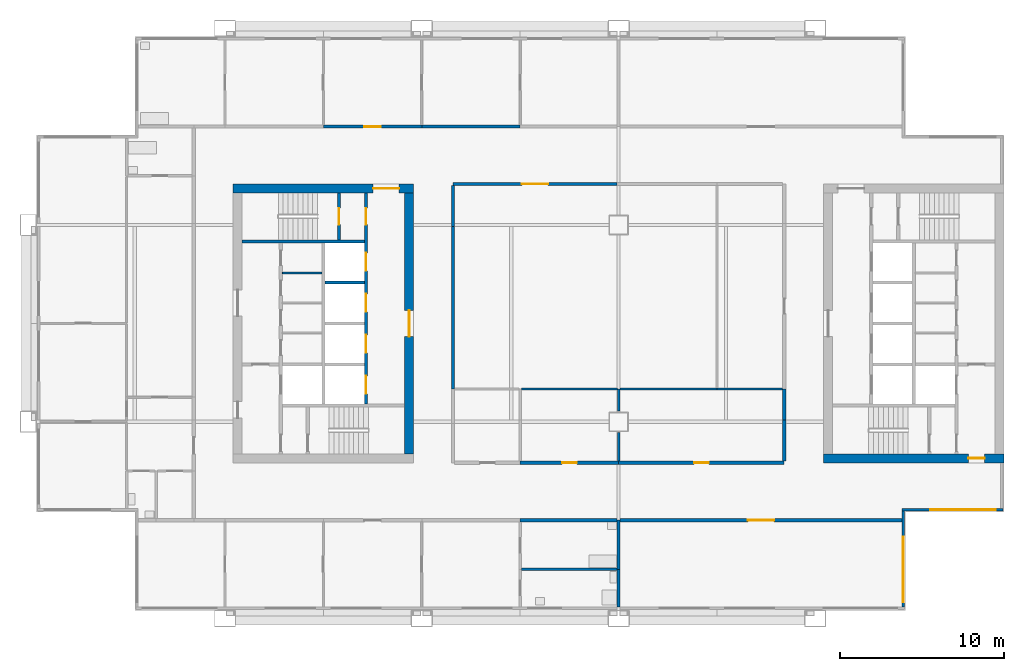
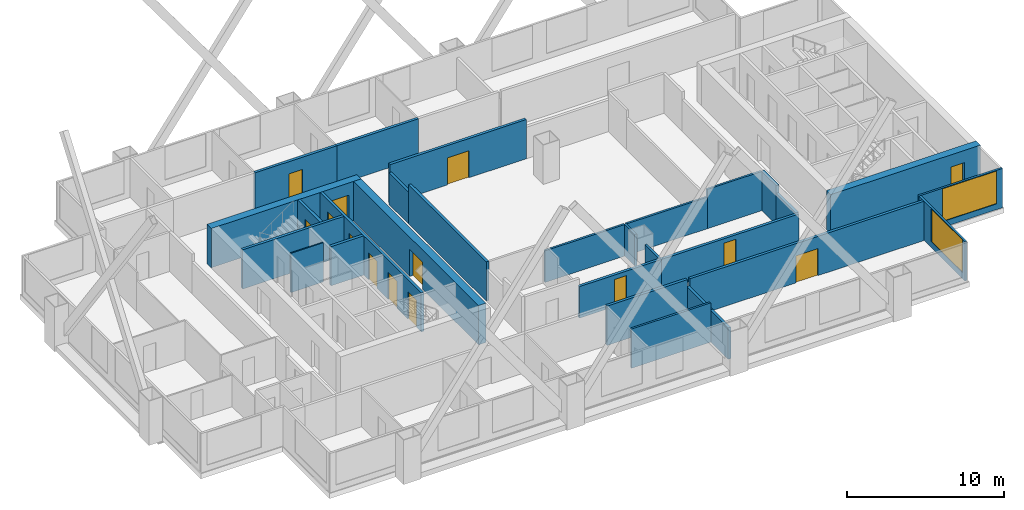
# One storey, part 4 of 8: 29 walls, 14 doors, 2 windows, 16 openings.
"""IFC4 building model written with IfcOpenShell, lengths in metres."""

from ifc_helpers import new_model, si_unit, direction, frame, frame_2d, origin, place, context, subcontext, project, spatial, rectangle, extrude, material, layer, layer_set, type_object, element, fill, save


model = new_model("IFC4")

# Units and contexts
model_context = context("Model", 3, precision=1e-05, world=origin(), true_north=direction((0.0, 1.0)))
body_context = subcontext(model_context, "Body", "Model", "MODEL_VIEW")
ifc_project = project(units=[si_unit("LENGTHUNIT", "METRE"), si_unit("AREAUNIT", "SQUARE_METRE"), si_unit("VOLUMEUNIT", "CUBIC_METRE"), si_unit("PLANEANGLEUNIT", "RADIAN"), si_unit("MASSUNIT", "GRAM", prefix="KILO")], contexts=[model_context])

# Site, building, storey
site_placement = place(None, origin())
site = spatial("IfcSite", under=ifc_project, at=site_placement, CompositionType="ELEMENT")
building_placement = place(site_placement, origin())
building = spatial("IfcBuilding", under=site, at=building_placement, Name="Kitamizu Gate Tower and Museum", CompositionType="ELEMENT")
storey_placement = place(building_placement, frame((0.0, 0.0, 158.25)))
storey = spatial("IfcBuildingStorey", under=building, at=storey_placement, Name="L41", CompositionType="ELEMENT", Elevation=158.25)

# Wall, opening, door
ifc_material_1 = material(Name="Concrete Fc42", Category="concrete")
ifc_layer_1 = layer(ifc_material_1, 0.550048828125)
ifc_layer_set_1 = layer_set([ifc_layer_1], Name="Concrete Fc42")
wall_type_1 = type_object("IfcWallType", Name="Core wall 550", PredefinedType="SHEAR", material=ifc_layer_set_1)
wall_1_placement = place(storey_placement, frame((12.5, 38.22509765625, 0.0), z_axis=(0.0, 0.0, 1.0), x_axis=(1.0, 0.0, 0.0)))
wall_1 = element("IfcWall", 1, at=wall_1_placement, inside=storey, type_object=wall_type_1, Name="Core wall WN", PredefinedType="SHEAR", context=body_context, shape_type="SweptSolid", body=[
    extrude(rectangle(XDim=11.0, YDim=0.550048828125, at=frame_2d((5.5, 0.0))), origin(), (0.0, 0.0, 1.0), 3.050048828125),
])
opening_1_placement = place(wall_1_placement, frame((8.52490234375, 0.0, 0.0)))
opening_1 = element("IfcOpeningElement", 2, at=opening_1_placement, cuts=wall_1, Name="Opening L41-034", PredefinedType="OPENING", context=body_context, shape_type="SweptSolid", body=[
    extrude(rectangle(XDim=1.60009765625, YDim=2.10009765625, at=frame_2d((0.800048828125, 1.050048828125))), frame((0.0, 0.28515625, 0.0), z_axis=(0.0, -1.0, 0.0), x_axis=(1.0, 0.0, 0.0)), (0.0, 0.0, 1.0), 0.570068359375),
])
ifc_material_2 = material(Name="Timber door set", Category="wood")
door_type_1 = type_object("IfcDoorType", Name="Entrance door 1600", OperationType="DOUBLE_DOOR_SINGLE_SWING", PredefinedType="DOOR", material=ifc_material_2)
door_1_placement = place(opening_1_placement, origin())
door_1 = element("IfcDoor", 3, at=door_1_placement, inside=storey, type_object=door_type_1, Name="Lobby door L41-034", OperationType="DOUBLE_DOOR_SINGLE_SWING", OverallHeight=2.10009765625, OverallWidth=1.60009765625, PredefinedType="DOOR", context=body_context, shape_type="SweptSolid", body=[
    extrude(rectangle(XDim=1.60009765625, YDim=2.10009765625, at=frame_2d((0.800048828125, 1.050048828125))), frame((0.0, 0.02490234375, 0.0), z_axis=(0.0, -1.0, 0.0), x_axis=(1.0, 0.0, 0.0)), (0.0, 0.0, 1.0), 0.050048828125),
])
fill(opening_1, door_1)

wall_2_placement = place(storey_placement, frame((23.22509765625, 22.050048828125, 0.0), z_axis=(0.0, 0.0, 1.0), x_axis=(0.0, 1.0, 0.0)))
wall_2 = element("IfcWall", 4, at=wall_2_placement, inside=storey, type_object=wall_type_1, Name="Core wall WARC", PredefinedType="SHEAR", context=body_context, shape_type="SweptSolid", body=[
    extrude(rectangle(XDim=15.89990234375, YDim=0.550048828125, at=frame_2d((7.949951171875, 0.0))), origin(), (0.0, 0.0, 1.0), 3.050048828125),
])
opening_2_placement = place(wall_2_placement, frame((7.14990234375, 0.0, 0.0)))
opening_2 = element("IfcOpeningElement", 5, at=opening_2_placement, cuts=wall_2, Name="Opening L41-035", PredefinedType="OPENING", context=body_context, shape_type="SweptSolid", body=[
    extrude(rectangle(XDim=1.60009765625, YDim=2.10009765625, at=frame_2d((0.800048828125, 1.050048828125))), frame((0.0, 0.28515625, 0.0), z_axis=(0.0, -1.0, 0.0), x_axis=(1.0, 0.0, 0.0)), (0.0, 0.0, 1.0), 0.570068359375),
])
door_2_placement = place(opening_2_placement, origin())
door_2 = element("IfcDoor", 6, at=door_2_placement, inside=storey, type_object=door_type_1, Name="Lobby door L41-035", OperationType="DOUBLE_DOOR_SINGLE_SWING", OverallHeight=2.10009765625, OverallWidth=1.60009765625, PredefinedType="DOOR", context=body_context, shape_type="SweptSolid", body=[
    extrude(rectangle(XDim=1.60009765625, YDim=2.10009765625, at=frame_2d((0.800048828125, 1.050048828125))), frame((0.0, 0.02490234375, 0.0), z_axis=(0.0, -1.0, 0.0), x_axis=(1.0, 0.0, 0.0)), (0.0, 0.0, 1.0), 0.050048828125),
])
fill(opening_2, door_2)

wall_3_placement = place(storey_placement, frame((59.5, 21.77490234375, 0.0), z_axis=(0.0, 0.0, 1.0), x_axis=(-1.0, 0.0, 0.0)))
wall_3 = element("IfcWall", 7, at=wall_3_placement, inside=storey, type_object=wall_type_1, Name="Core wall ES", PredefinedType="SHEAR", context=body_context, shape_type="SweptSolid", body=[
    extrude(rectangle(XDim=11.0, YDim=0.550048828125, at=frame_2d((5.5, 0.0))), origin(), (0.0, 0.0, 1.0), 3.050048828125),
])
opening_3_placement = place(wall_3_placement, frame((1.175048828125, 0.0, 0.0)))
opening_3 = element("IfcOpeningElement", 8, at=opening_3_placement, cuts=wall_3, Name="Opening L41-045", PredefinedType="OPENING", context=body_context, shape_type="SweptSolid", body=[
    extrude(rectangle(XDim=1.0, YDim=2.10009765625, at=frame_2d((0.5, 1.050048828125))), frame((0.0, 0.28515625, 0.0), z_axis=(0.0, -1.0, 0.0), x_axis=(1.0, 0.0, 0.0)), (0.0, 0.0, 1.0), 0.570068359375),
])
ifc_material_3 = material(Name="Hollow metal door set")
door_type_2 = type_object("IfcDoorType", Name="Fire door 1000", OperationType="NOTDEFINED", PredefinedType="DOOR", material=ifc_material_3)
door_3_placement = place(opening_3_placement, frame((1.0, 0.0, 0.0), x_axis=(-1.0, 0.0, 0.0)))
door_3 = element("IfcDoor", 9, at=door_3_placement, inside=storey, type_object=door_type_2, Name="Fire-fighting lobby door L41-045", OperationType="SINGLE_SWING_LEFT", OverallHeight=2.10009765625, OverallWidth=1.0, PredefinedType="DOOR", context=body_context, shape_type="SweptSolid", body=[
    extrude(rectangle(XDim=1.0, YDim=2.10009765625, at=frame_2d((0.5, 1.050048828125))), frame((0.0, 0.02490234375, 0.0), z_axis=(0.0, -1.0, 0.0), x_axis=(1.0, 0.0, 0.0)), (0.0, 0.0, 1.0), 0.050048828125),
])
fill(opening_3, door_3)

# Walls
ifc_material_4 = material(Name="Gypsum board on galvanised stud")
ifc_layer_2 = layer(ifc_material_4, 0.10009765625)
ifc_layer_set_2 = layer_set([ifc_layer_2], Name="Gypsum board on galvanised stud")
wall_type_2 = type_object("IfcWallType", Name="Partition 100", PredefinedType="PARTITIONING", material=ifc_layer_set_2)
wall_4_placement = place(storey_placement, frame((15.5, 33.074951171875, 0.0), z_axis=(0.0, 0.0, 1.0), x_axis=(1.0, 0.0, 0.0)))
element("IfcWall", 10, at=wall_4_placement, inside=storey, type_object=wall_type_2, Name="Partition WPF3", PredefinedType="PARTITIONING", context=body_context, shape_type="SweptSolid", body=[
    extrude(rectangle(XDim=2.39990234375, YDim=0.10009765625, at=frame_2d((1.199951171875, 0.0))), origin(), (0.0, 0.0, 1.0), 3.050048828125),
])
ifc_material_5 = material(Name="Gypsum board on galvanised stud")
ifc_layer_3 = layer(ifc_material_5, 0.14990234375)
ifc_layer_set_3 = layer_set([ifc_layer_3], Name="Gypsum board on galvanised stud")
wall_type_3 = type_object("IfcWallType", Name="Partition 150", PredefinedType="PARTITIONING", material=ifc_layer_set_3)
wall_5_placement = place(storey_placement, frame((35.89990234375, 15.0, 0.0), z_axis=(0.0, 0.0, 1.0), x_axis=(-1.0, 0.0, 0.0)))
element("IfcWall", 11, at=wall_5_placement, inside=storey, type_object=wall_type_3, Name="Partition L41-012", PredefinedType="PARTITIONING", context=body_context, shape_type="SweptSolid", body=[
    extrude(rectangle(XDim=5.824951171875, YDim=0.14990234375, at=frame_2d((2.91259765625, 0.0))), origin(), (0.0, 0.0, 1.0), 3.050048828125),
])
wall_6_placement = place(storey_placement, frame((36.0, 21.60009765625, 0.0), z_axis=(0.0, 0.0, 1.0), x_axis=(0.0, 1.0, 0.0)))
element("IfcWall", 12, at=wall_6_placement, inside=storey, type_object=wall_type_3, Name="Partition L41-066", PredefinedType="PARTITIONING", context=body_context, shape_type="SweptSolid", body=[
    extrude(rectangle(XDim=1.75, YDim=0.14990234375, at=frame_2d((0.875, 0.0))), origin(), (0.0, 0.0, 1.0), 2.449951171875),
])
wall_7_placement = place(storey_placement, frame((36.0, 24.64990234375, 0.0), z_axis=(0.0, 0.0, 1.0), x_axis=(0.0, 1.0, 0.0)))
element("IfcWall", 13, at=wall_7_placement, inside=storey, type_object=wall_type_3, Name="Partition L41-067", PredefinedType="PARTITIONING", context=body_context, shape_type="SweptSolid", body=[
    extrude(rectangle(XDim=1.35009765625, YDim=0.14990234375, at=frame_2d((0.675048828125, 0.0))), origin(), (0.0, 0.0, 1.0), 2.449951171875),
])
wall_8_placement = place(storey_placement, frame((35.925048828125, 26.0, 0.0), z_axis=(0.0, 0.0, 1.0), x_axis=(-1.0, 0.0, 0.0)))
element("IfcWall", 14, at=wall_8_placement, inside=storey, type_object=wall_type_3, Name="Partition L41-068", PredefinedType="PARTITIONING", context=body_context, shape_type="SweptSolid", body=[
    extrude(rectangle(XDim=5.85009765625, YDim=0.14990234375, at=frame_2d((2.925048828125, 0.0))), origin(), (0.0, 0.0, 1.0), 2.449951171875),
])
wall_9_placement = place(storey_placement, frame((42.0, 26.0, 0.0), z_axis=(0.0, 0.0, 1.0), x_axis=(-1.0, 0.0, 0.0)))
element("IfcWall", 15, at=wall_9_placement, inside=storey, type_object=wall_type_3, Name="Partition L41-069", PredefinedType="PARTITIONING", context=body_context, shape_type="SweptSolid", body=[
    extrude(rectangle(XDim=5.925048828125, YDim=0.14990234375, at=frame_2d((2.96240234375, 0.0))), origin(), (0.0, 0.0, 1.0), 2.449951171875),
])
wall_10_placement = place(storey_placement, frame((46.0, 26.0, 0.0), z_axis=(0.0, 0.0, 1.0), x_axis=(-1.0, 0.0, 0.0)))
element("IfcWall", 16, at=wall_10_placement, inside=storey, type_object=wall_type_3, Name="Partition L41-070", PredefinedType="PARTITIONING", context=body_context, shape_type="SweptSolid", body=[
    extrude(rectangle(XDim=4.0, YDim=0.14990234375, at=frame_2d((2.0, 0.0))), origin(), (0.0, 0.0, 1.0), 3.050048828125),
])
ifc_material_6 = material(Name="Gypsum board on galvanised stud")
ifc_layer_4 = layer(ifc_material_6, 0.199951171875)
ifc_layer_set_4 = layer_set([ifc_layer_4], Name="Gypsum board on galvanised stud")
wall_type_4 = type_object("IfcWallType", Name="Partition 200", PredefinedType="PARTITIONING", material=ifc_layer_set_4)
wall_11_placement = place(storey_placement, frame((36.0, 12.719970703125, 0.0), z_axis=(0.0, 0.0, 1.0), x_axis=(0.0, 1.0, 0.0)))
element("IfcWall", 17, at=wall_11_placement, inside=storey, type_object=wall_type_4, Name="Partition L41-013", PredefinedType="PARTITIONING", context=body_context, shape_type="SweptSolid", body=[
    extrude(rectangle(XDim=2.280029296875, YDim=0.199951171875, at=frame_2d((1.14013671875, 0.0))), origin(), (0.0, 0.0, 1.0), 2.449951171875),
])
wall_12_placement = place(storey_placement, frame((36.0, 15.0, 0.0), z_axis=(0.0, 0.0, 1.0), x_axis=(0.0, 1.0, 0.0)))
element("IfcWall", 18, at=wall_12_placement, inside=storey, type_object=wall_type_4, Name="Partition L41-014", PredefinedType="PARTITIONING", context=body_context, shape_type="SweptSolid", body=[
    extrude(rectangle(XDim=3.0, YDim=0.199951171875, at=frame_2d((1.5, 0.0))), origin(), (0.0, 0.0, 1.0), 2.449951171875),
])
wall_13_placement = place(storey_placement, frame((35.89990234375, 18.0, 0.0), z_axis=(0.0, 0.0, 1.0), x_axis=(-1.0, 0.0, 0.0)))
element("IfcWall", 19, at=wall_13_placement, inside=storey, type_object=wall_type_4, Name="Partition L41-015", PredefinedType="PARTITIONING", context=body_context, shape_type="SweptSolid", body=[
    extrude(rectangle(XDim=5.89990234375, YDim=0.199951171875, at=frame_2d((2.949951171875, 0.0))), origin(), (0.0, 0.0, 1.0), 3.050048828125),
])

# Wall, opening, door
wall_14_placement = place(storey_placement, frame((18.0, 42.0, 0.0), z_axis=(0.0, 0.0, 1.0), x_axis=(1.0, 0.0, 0.0)))
wall_14 = element("IfcWall", 20, at=wall_14_placement, inside=storey, type_object=wall_type_4, Name="Partition L41-022", PredefinedType="PARTITIONING", context=body_context, shape_type="SweptSolid", body=[
    extrude(rectangle(XDim=6.0, YDim=0.199951171875, at=frame_2d((3.0, 0.0))), origin(), (0.0, 0.0, 1.0), 3.050048828125),
])
opening_4_placement = place(wall_14_placement, frame((2.5, 0.0, 0.0)))
opening_4 = element("IfcOpeningElement", 21, at=opening_4_placement, cuts=wall_14, Name="Opening L41-007", PredefinedType="OPENING", context=body_context, shape_type="SweptSolid", body=[
    extrude(rectangle(XDim=1.0, YDim=2.10009765625, at=frame_2d((0.5, 1.050048828125))), frame((0.0, 0.10986328125, 0.0), z_axis=(0.0, -1.0, 0.0), x_axis=(1.0, 0.0, 0.0)), (0.0, 0.0, 1.0), 0.219970703125),
])
ifc_material_7 = material(Name="Timber door set", Category="wood")
door_type_3 = type_object("IfcDoorType", Name="Flat entrance door 1000", OperationType="NOTDEFINED", PredefinedType="DOOR", material=ifc_material_7)
door_4_placement = place(opening_4_placement, origin())
door_4 = element("IfcDoor", 22, at=door_4_placement, inside=storey, type_object=door_type_3, Name="Flat entrance door L41-007", OperationType="SINGLE_SWING_RIGHT", OverallHeight=2.10009765625, OverallWidth=1.0, PredefinedType="DOOR", context=body_context, shape_type="SweptSolid", body=[
    extrude(rectangle(XDim=1.0, YDim=2.10009765625, at=frame_2d((0.5, 1.050048828125))), frame((0.0, 0.02490234375, 0.0), z_axis=(0.0, -1.0, 0.0), x_axis=(1.0, 0.0, 0.0)), (0.0, 0.0, 1.0), 0.050048828125),
])
fill(opening_4, door_4)

# Wall
wall_15_placement = place(storey_placement, frame((24.0, 42.0, 0.0), z_axis=(0.0, 0.0, 1.0), x_axis=(1.0, 0.0, 0.0)))
element("IfcWall", 23, at=wall_15_placement, inside=storey, type_object=wall_type_4, Name="Partition L41-024", PredefinedType="PARTITIONING", context=body_context, shape_type="SweptSolid", body=[
    extrude(rectangle(XDim=6.0, YDim=0.199951171875, at=frame_2d((3.0, 0.0))), origin(), (0.0, 0.0, 1.0), 3.050048828125),
])

# Wall, opening, door
wall_16_placement = place(storey_placement, frame((53.280029296875, 18.0, 0.0), z_axis=(0.0, 0.0, 1.0), x_axis=(-1.0, 0.0, 0.0)))
wall_16 = element("IfcWall", 24, at=wall_16_placement, inside=storey, type_object=wall_type_4, Name="Partition L41-047", PredefinedType="PARTITIONING", context=body_context, shape_type="SweptSolid", body=[
    extrude(rectangle(XDim=17.179931640625, YDim=0.199951171875, at=frame_2d((8.58984375, 0.0))), origin(), (0.0, 0.0, 1.0), 3.050048828125),
])
opening_5_placement = place(wall_16_placement, frame((7.7900390625, 0.0, 0.0)))
opening_5 = element("IfcOpeningElement", 25, at=opening_5_placement, cuts=wall_16, Name="Opening L41-020", PredefinedType="OPENING", context=body_context, shape_type="SweptSolid", body=[
    extrude(rectangle(XDim=1.60009765625, YDim=2.10009765625, at=frame_2d((0.800048828125, 1.050048828125))), frame((0.0, 0.10986328125, 0.0), z_axis=(0.0, -1.0, 0.0), x_axis=(1.0, 0.0, 0.0)), (0.0, 0.0, 1.0), 0.219970703125),
])
ifc_material_8 = material(Name="Timber door set", Category="wood")
door_type_4 = type_object("IfcDoorType", Name="Double door 1600", OperationType="DOUBLE_DOOR_SINGLE_SWING", PredefinedType="DOOR", material=ifc_material_8)
door_5_placement = place(opening_5_placement, origin())
door_5 = element("IfcDoor", 26, at=door_5_placement, inside=storey, type_object=door_type_4, Name="Double door L41-020", OperationType="DOUBLE_DOOR_SINGLE_SWING", OverallHeight=2.10009765625, OverallWidth=1.60009765625, PredefinedType="DOOR", context=body_context, shape_type="SweptSolid", body=[
    extrude(rectangle(XDim=1.60009765625, YDim=2.10009765625, at=frame_2d((0.800048828125, 1.050048828125))), frame((0.0, 0.02490234375, 0.0), z_axis=(0.0, -1.0, 0.0), x_axis=(1.0, 0.0, 0.0)), (0.0, 0.0, 1.0), 0.050048828125),
])
fill(opening_5, door_5)

wall_17_placement = place(storey_placement, frame((30.0, 21.5, 0.0), z_axis=(0.0, 0.0, 1.0), x_axis=(1.0, 0.0, 0.0)))
wall_17 = element("IfcWall", 27, at=wall_17_placement, inside=storey, type_object=wall_type_4, Name="Partition L41-052", PredefinedType="PARTITIONING", context=body_context, shape_type="SweptSolid", body=[
    extrude(rectangle(XDim=6.0, YDim=0.199951171875, at=frame_2d((3.0, 0.0))), origin(), (0.0, 0.0, 1.0), 2.449951171875),
])
opening_6_placement = place(wall_17_placement, frame((2.550048828125, 0.0, 0.0)))
opening_6 = element("IfcOpeningElement", 28, at=opening_6_placement, cuts=wall_17, Name="Opening L41-023", PredefinedType="OPENING", context=body_context, shape_type="SweptSolid", body=[
    extrude(rectangle(XDim=0.89990234375, YDim=2.10009765625, at=frame_2d((0.449951171875, 1.050048828125))), frame((0.0, 0.10986328125, 0.0), z_axis=(0.0, -1.0, 0.0), x_axis=(1.0, 0.0, 0.0)), (0.0, 0.0, 1.0), 0.219970703125),
])
ifc_material_9 = material(Name="Timber door set", Category="wood")
door_type_5 = type_object("IfcDoorType", Name="Room door 900", OperationType="NOTDEFINED", PredefinedType="DOOR", material=ifc_material_9)
door_6_placement = place(opening_6_placement, origin())
door_6 = element("IfcDoor", 29, at=door_6_placement, inside=storey, type_object=door_type_5, Name="Door L41-023", OperationType="SINGLE_SWING_RIGHT", OverallHeight=2.10009765625, OverallWidth=0.89990234375, PredefinedType="DOOR", context=body_context, shape_type="SweptSolid", body=[
    extrude(rectangle(XDim=0.89990234375, YDim=2.10009765625, at=frame_2d((0.449951171875, 1.050048828125))), frame((0.0, 0.02490234375, 0.0), z_axis=(0.0, -1.0, 0.0), x_axis=(1.0, 0.0, 0.0)), (0.0, 0.0, 1.0), 0.050048828125),
])
fill(opening_6, door_6)

wall_18_placement = place(storey_placement, frame((36.0, 21.5, 0.0), z_axis=(0.0, 0.0, 1.0), x_axis=(1.0, 0.0, 0.0)))
wall_18 = element("IfcWall", 30, at=wall_18_placement, inside=storey, type_object=wall_type_4, Name="Partition L41-053", PredefinedType="PARTITIONING", context=body_context, shape_type="SweptSolid", body=[
    extrude(rectangle(XDim=10.10009765625, YDim=0.199951171875, at=frame_2d((5.050048828125, 0.0))), origin(), (0.0, 0.0, 1.0), 2.449951171875),
])
opening_7_placement = place(wall_18_placement, frame((4.60009765625, 0.0, 0.0)))
opening_7 = element("IfcOpeningElement", 31, at=opening_7_placement, cuts=wall_18, Name="Opening L41-024", PredefinedType="OPENING", context=body_context, shape_type="SweptSolid", body=[
    extrude(rectangle(XDim=0.89990234375, YDim=2.10009765625, at=frame_2d((0.449951171875, 1.050048828125))), frame((0.0, 0.10986328125, 0.0), z_axis=(0.0, -1.0, 0.0), x_axis=(1.0, 0.0, 0.0)), (0.0, 0.0, 1.0), 0.219970703125),
])
door_7_placement = place(opening_7_placement, origin())
door_7 = element("IfcDoor", 32, at=door_7_placement, inside=storey, type_object=door_type_5, Name="Door L41-024", OperationType="SINGLE_SWING_LEFT", OverallHeight=2.10009765625, OverallWidth=0.89990234375, PredefinedType="DOOR", context=body_context, shape_type="SweptSolid", body=[
    extrude(rectangle(XDim=0.89990234375, YDim=2.10009765625, at=frame_2d((0.449951171875, 1.050048828125))), frame((0.0, 0.02490234375, 0.0), z_axis=(0.0, -1.0, 0.0), x_axis=(1.0, 0.0, 0.0)), (0.0, 0.0, 1.0), 0.050048828125),
])
fill(opening_7, door_7)

# Walls
wall_19_placement = place(storey_placement, frame((46.10009765625, 21.60009765625, 0.0), z_axis=(0.0, 0.0, 1.0), x_axis=(0.0, 1.0, 0.0)))
element("IfcWall", 33, at=wall_19_placement, inside=storey, type_object=wall_type_4, Name="Partition L41-054", PredefinedType="PARTITIONING", context=body_context, shape_type="SweptSolid", body=[
    extrude(rectangle(XDim=2.5, YDim=0.199951171875, at=frame_2d((1.25, 0.0))), origin(), (0.0, 0.0, 1.0), 2.449951171875),
])
wall_20_placement = place(storey_placement, frame((46.10009765625, 24.10009765625, 0.0), z_axis=(0.0, 0.0, 1.0), x_axis=(0.0, 1.0, 0.0)))
element("IfcWall", 34, at=wall_20_placement, inside=storey, type_object=wall_type_4, Name="Partition L41-055", PredefinedType="PARTITIONING", context=body_context, shape_type="SweptSolid", body=[
    extrude(rectangle(XDim=1.89990234375, YDim=0.199951171875, at=frame_2d((0.949951171875, 0.0))), origin(), (0.0, 0.0, 1.0), 3.050048828125),
])

# Wall, opening, door
wall_21_placement = place(storey_placement, frame((35.89990234375, 38.5, 0.0), z_axis=(0.0, 0.0, 1.0), x_axis=(-1.0, 0.0, 0.0)))
wall_21 = element("IfcWall", 35, at=wall_21_placement, inside=storey, type_object=wall_type_4, Name="Partition L41-057", PredefinedType="PARTITIONING", context=body_context, shape_type="SweptSolid", body=[
    extrude(rectangle(XDim=10.0, YDim=0.199951171875, at=frame_2d((5.0, 0.0))), origin(), (0.0, 0.0, 1.0), 3.050048828125),
])
opening_8_placement = place(wall_21_placement, frame((4.199951171875, 0.0, 0.0)))
opening_8 = element("IfcOpeningElement", 36, at=opening_8_placement, cuts=wall_21, Name="Opening L41-025", PredefinedType="OPENING", context=body_context, shape_type="SweptSolid", body=[
    extrude(rectangle(XDim=1.60009765625, YDim=2.10009765625, at=frame_2d((0.800048828125, 1.050048828125))), frame((0.0, 0.10986328125, 0.0), z_axis=(0.0, -1.0, 0.0), x_axis=(1.0, 0.0, 0.0)), (0.0, 0.0, 1.0), 0.219970703125),
])
door_8_placement = place(opening_8_placement, origin())
door_8 = element("IfcDoor", 37, at=door_8_placement, inside=storey, type_object=door_type_4, Name="Double door L41-025", OperationType="DOUBLE_DOOR_SINGLE_SWING", OverallHeight=2.10009765625, OverallWidth=1.60009765625, PredefinedType="DOOR", context=body_context, shape_type="SweptSolid", body=[
    extrude(rectangle(XDim=1.60009765625, YDim=2.10009765625, at=frame_2d((0.800048828125, 1.050048828125))), frame((0.0, 0.02490234375, 0.0), z_axis=(0.0, -1.0, 0.0), x_axis=(1.0, 0.0, 0.0)), (0.0, 0.0, 1.0), 0.050048828125),
])
fill(opening_8, door_8)

# Walls
wall_22_placement = place(storey_placement, frame((25.89990234375, 38.39990234375, 0.0), z_axis=(0.0, 0.0, 1.0), x_axis=(0.0, -1.0, 0.0)))
element("IfcWall", 38, at=wall_22_placement, inside=storey, type_object=wall_type_4, Name="Partition L41-058", PredefinedType="PARTITIONING", context=body_context, shape_type="SweptSolid", body=[
    extrude(rectangle(XDim=2.5, YDim=0.199951171875, at=frame_2d((1.25, 0.0))), origin(), (0.0, 0.0, 1.0), 2.449951171875),
])
wall_23_placement = place(storey_placement, frame((25.89990234375, 35.89990234375, 0.0), z_axis=(0.0, 0.0, 1.0), x_axis=(0.0, -1.0, 0.0)))
element("IfcWall", 39, at=wall_23_placement, inside=storey, type_object=wall_type_4, Name="Partition L41-059", PredefinedType="PARTITIONING", context=body_context, shape_type="SweptSolid", body=[
    extrude(rectangle(XDim=9.89990234375, YDim=0.199951171875, at=frame_2d((4.949951171875, 0.0))), origin(), (0.0, 0.0, 1.0), 3.050048828125),
])

# Wall, openings, doors
ifc_material_10 = material(Name="Concrete Fc42", Category="concrete")
ifc_layer_5 = layer(ifc_material_10, 0.199951171875)
ifc_layer_set_5 = layer_set([ifc_layer_5], Name="Concrete Fc42")
wall_type_5 = type_object("IfcWallType", Name="Shaft wall 200", PredefinedType="SOLIDWALL", material=ifc_layer_set_5)
wall_24_placement = place(storey_placement, frame((20.60009765625, 25.10009765625, 0.0), z_axis=(0.0, 0.0, 1.0), x_axis=(0.0, 1.0, 0.0)))
wall_24 = element("IfcWall", 40, at=wall_24_placement, inside=storey, type_object=wall_type_5, Name="Shaft wall WEAST", PredefinedType="SOLIDWALL", context=body_context, shape_type="SweptSolid", body=[
    extrude(rectangle(XDim=12.849853515625, YDim=0.199951171875, at=frame_2d((6.4248046875, 0.0))), origin(), (0.0, 0.0, 1.0), 3.050048828125),
])
opening_9_placement = place(wall_24_placement, frame((0.60009765625, 0.0, 0.0)))
opening_9 = element("IfcOpeningElement", 41, at=opening_9_placement, cuts=wall_24, Name="Opening LD", PredefinedType="OPENING", context=body_context, shape_type="SweptSolid", body=[
    extrude(rectangle(XDim=1.10009765625, YDim=2.10009765625, at=frame_2d((0.550048828125, 1.050048828125))), frame((0.0, 0.10986328125, 0.0), z_axis=(0.0, -1.0, 0.0), x_axis=(1.0, 0.0, 0.0)), (0.0, 0.0, 1.0), 0.219970703125),
])
opening_10_placement = place(wall_24_placement, frame((3.10009765625, 0.0, 0.0)))
opening_10 = element("IfcOpeningElement", 42, at=opening_10_placement, cuts=wall_24, Name="Opening LD", PredefinedType="OPENING", context=body_context, shape_type="SweptSolid", body=[
    extrude(rectangle(XDim=1.10009765625, YDim=2.10009765625, at=frame_2d((0.550048828125, 1.050048828125))), frame((0.0, 0.10986328125, 0.0), z_axis=(0.0, -1.0, 0.0), x_axis=(1.0, 0.0, 0.0)), (0.0, 0.0, 1.0), 0.219970703125),
])
opening_11_placement = place(wall_24_placement, frame((5.60009765625, 0.0, 0.0)))
opening_11 = element("IfcOpeningElement", 43, at=opening_11_placement, cuts=wall_24, Name="Opening LD", PredefinedType="OPENING", context=body_context, shape_type="SweptSolid", body=[
    extrude(rectangle(XDim=1.10009765625, YDim=2.10009765625, at=frame_2d((0.550048828125, 1.050048828125))), frame((0.0, 0.10986328125, 0.0), z_axis=(0.0, -1.0, 0.0), x_axis=(1.0, 0.0, 0.0)), (0.0, 0.0, 1.0), 0.219970703125),
])
opening_12_placement = place(wall_24_placement, frame((8.10009765625, 0.0, 0.0)))
opening_12 = element("IfcOpeningElement", 44, at=opening_12_placement, cuts=wall_24, Name="Opening LD", PredefinedType="OPENING", context=body_context, shape_type="SweptSolid", body=[
    extrude(rectangle(XDim=1.10009765625, YDim=2.10009765625, at=frame_2d((0.550048828125, 1.050048828125))), frame((0.0, 0.10986328125, 0.0), z_axis=(0.0, -1.0, 0.0), x_axis=(1.0, 0.0, 0.0)), (0.0, 0.0, 1.0), 0.219970703125),
])
opening_13_placement = place(wall_24_placement, frame((10.925048828125, 0.0, 0.0)))
opening_13 = element("IfcOpeningElement", 45, at=opening_13_placement, cuts=wall_24, Name="Opening L41-029", PredefinedType="OPENING", context=body_context, shape_type="SweptSolid", body=[
    extrude(rectangle(XDim=1.0, YDim=2.10009765625, at=frame_2d((0.5, 1.050048828125))), frame((0.0, 0.10986328125, 0.0), z_axis=(0.0, -1.0, 0.0), x_axis=(1.0, 0.0, 0.0)), (0.0, 0.0, 1.0), 0.219970703125),
])
door_9_placement = place(opening_13_placement, origin())
door_9 = element("IfcDoor", 46, at=door_9_placement, inside=storey, type_object=door_type_2, Name="Stair lobby door L41-029", OperationType="SINGLE_SWING_LEFT", OverallHeight=2.10009765625, OverallWidth=1.0, PredefinedType="DOOR", context=body_context, shape_type="SweptSolid", body=[
    extrude(rectangle(XDim=1.0, YDim=2.10009765625, at=frame_2d((0.5, 1.050048828125))), frame((0.0, 0.02490234375, 0.0), z_axis=(0.0, -1.0, 0.0), x_axis=(1.0, 0.0, 0.0)), (0.0, 0.0, 1.0), 0.050048828125),
])
fill(opening_13, door_9)
ifc_material_11 = material(Name="Hollow metal door set")
door_type_6 = type_object("IfcDoorType", Name="Landing door 1100", OperationType="SLIDING_TO_LEFT", PredefinedType="DOOR", material=ifc_material_11)
door_10_placement = place(opening_9_placement, origin())
door_10 = element("IfcDoor", 47, at=door_10_placement, inside=storey, type_object=door_type_6, Name="Landing door WSV1", OperationType="SLIDING_TO_LEFT", OverallHeight=2.10009765625, OverallWidth=1.10009765625, PredefinedType="DOOR", context=body_context, shape_type="SweptSolid", body=[
    extrude(rectangle(XDim=1.10009765625, YDim=2.10009765625, at=frame_2d((0.550048828125, 1.050048828125))), frame((0.0, 0.02490234375, 0.0), z_axis=(0.0, -1.0, 0.0), x_axis=(1.0, 0.0, 0.0)), (0.0, 0.0, 1.0), 0.050048828125),
])
fill(opening_9, door_10)
door_11_placement = place(opening_10_placement, origin())
door_11 = element("IfcDoor", 48, at=door_11_placement, inside=storey, type_object=door_type_6, Name="Landing door WH1", OperationType="SLIDING_TO_LEFT", OverallHeight=2.10009765625, OverallWidth=1.10009765625, PredefinedType="DOOR", context=body_context, shape_type="SweptSolid", body=[
    extrude(rectangle(XDim=1.10009765625, YDim=2.10009765625, at=frame_2d((0.550048828125, 1.050048828125))), frame((0.0, 0.02490234375, 0.0), z_axis=(0.0, -1.0, 0.0), x_axis=(1.0, 0.0, 0.0)), (0.0, 0.0, 1.0), 0.050048828125),
])
fill(opening_10, door_11)
door_12_placement = place(opening_11_placement, origin())
door_12 = element("IfcDoor", 49, at=door_12_placement, inside=storey, type_object=door_type_6, Name="Landing door WH2", OperationType="SLIDING_TO_LEFT", OverallHeight=2.10009765625, OverallWidth=1.10009765625, PredefinedType="DOOR", context=body_context, shape_type="SweptSolid", body=[
    extrude(rectangle(XDim=1.10009765625, YDim=2.10009765625, at=frame_2d((0.550048828125, 1.050048828125))), frame((0.0, 0.02490234375, 0.0), z_axis=(0.0, -1.0, 0.0), x_axis=(1.0, 0.0, 0.0)), (0.0, 0.0, 1.0), 0.050048828125),
])
fill(opening_11, door_12)
door_13_placement = place(opening_12_placement, origin())
door_13 = element("IfcDoor", 50, at=door_13_placement, inside=storey, type_object=door_type_6, Name="Landing door WH3", OperationType="SLIDING_TO_LEFT", OverallHeight=2.10009765625, OverallWidth=1.10009765625, PredefinedType="DOOR", context=body_context, shape_type="SweptSolid", body=[
    extrude(rectangle(XDim=1.10009765625, YDim=2.10009765625, at=frame_2d((0.550048828125, 1.050048828125))), frame((0.0, 0.02490234375, 0.0), z_axis=(0.0, -1.0, 0.0), x_axis=(1.0, 0.0, 0.0)), (0.0, 0.0, 1.0), 0.050048828125),
])
fill(opening_12, door_13)

# Wall
wall_25_placement = place(storey_placement, frame((13.050048828125, 35.0, 0.0), z_axis=(0.0, 0.0, 1.0), x_axis=(1.0, 0.0, 0.0)))
element("IfcWall", 51, at=wall_25_placement, inside=storey, type_object=wall_type_5, Name="Shaft wall WNB", PredefinedType="SOLIDWALL", context=body_context, shape_type="SweptSolid", body=[
    extrude(rectangle(XDim=7.449951171875, YDim=0.199951171875, at=frame_2d((3.72509765625, 0.0))), origin(), (0.0, 0.0, 1.0), 3.050048828125),
])

# Wall, opening, door
wall_26_placement = place(storey_placement, frame((18.949951171875, 35.10009765625, 0.0), z_axis=(0.0, 0.0, 1.0), x_axis=(0.0, 1.0, 0.0)))
wall_26 = element("IfcWall", 52, at=wall_26_placement, inside=storey, type_object=wall_type_5, Name="Shaft wall WNZ", PredefinedType="SOLIDWALL", context=body_context, shape_type="SweptSolid", body=[
    extrude(rectangle(XDim=2.849853515625, YDim=0.199951171875, at=frame_2d((1.4248046875, 0.0))), origin(), (0.0, 0.0, 1.0), 3.050048828125),
])
opening_14_placement = place(wall_26_placement, frame((0.925048828125, 0.0, 0.0)))
opening_14 = element("IfcOpeningElement", 53, at=opening_14_placement, cuts=wall_26, Name="Opening L41-030", PredefinedType="OPENING", context=body_context, shape_type="SweptSolid", body=[
    extrude(rectangle(XDim=1.0, YDim=2.10009765625, at=frame_2d((0.5, 1.050048828125))), frame((0.0, 0.10986328125, 0.0), z_axis=(0.0, -1.0, 0.0), x_axis=(1.0, 0.0, 0.0)), (0.0, 0.0, 1.0), 0.219970703125),
])
door_14_placement = place(opening_14_placement, origin())
door_14 = element("IfcDoor", 54, at=door_14_placement, inside=storey, type_object=door_type_2, Name="Stair door L41-030", OperationType="SINGLE_SWING_RIGHT", OverallHeight=2.10009765625, OverallWidth=1.0, PredefinedType="DOOR", context=body_context, shape_type="SweptSolid", body=[
    extrude(rectangle(XDim=1.0, YDim=2.10009765625, at=frame_2d((0.5, 1.050048828125))), frame((0.0, 0.02490234375, 0.0), z_axis=(0.0, -1.0, 0.0), x_axis=(1.0, 0.0, 0.0)), (0.0, 0.0, 1.0), 0.050048828125),
])
fill(opening_14, door_14)

# Wall
wall_27_placement = place(storey_placement, frame((18.10009765625, 32.5, 0.0), z_axis=(0.0, 0.0, 1.0), x_axis=(1.0, 0.0, 0.0)))
element("IfcWall", 55, at=wall_27_placement, inside=storey, type_object=wall_type_5, Name="Shaft wall WDVE2", PredefinedType="SOLIDWALL", context=body_context, shape_type="SweptSolid", body=[
    extrude(rectangle(XDim=2.39990234375, YDim=0.199951171875, at=frame_2d((1.199951171875, 0.0))), origin(), (0.0, 0.0, 1.0), 3.050048828125),
])

# Wall, opening, window
ifc_material_12 = material(Name="Bronze anodised aluminium frame with insulated spandrel and tinted glass", Category="aluminium")
ifc_layer_6 = layer(ifc_material_12, 0.14990234375)
ifc_layer_set_6 = layer_set([ifc_layer_6], Name="Bronze anodised aluminium frame with insulated spandrel and tinted glass")
wall_type_6 = type_object("IfcWallType", Name="WINDOW WALL 150 BRONZE FRAME EI 30", PredefinedType="ELEMENTEDWALL", material=ifc_layer_set_6)
wall_28_placement = place(storey_placement, frame((53.364990234375, 12.7099609375, 0.0), z_axis=(0.0, 0.0, 1.0), x_axis=(0.0, 1.0, 0.0)))
wall_28 = element("IfcWall", 56, at=wall_28_placement, inside=storey, type_object=wall_type_6, Name="Window wall east L41", PredefinedType="ELEMENTEDWALL", context=body_context, shape_type="SweptSolid", body=[
    extrude(rectangle(XDim=5.85009765625, YDim=0.14990234375, at=frame_2d((2.925048828125, 0.0))), origin(), (0.0, 0.0, 1.0), 3.050048828125),
])
opening_15_placement = place(wall_28_placement, frame((0.2900390625, 0.0, 0.449951171875)))
opening_15 = element("IfcOpeningElement", 57, at=opening_15_placement, cuts=wall_28, Name="Opening W16", PredefinedType="OPENING", context=body_context, shape_type="SweptSolid", body=[
    extrude(rectangle(XDim=4.0, YDim=2.550048828125, at=frame_2d((2.0, 1.27490234375))), frame((0.0, 0.0849609375, 0.0), z_axis=(0.0, -1.0, 0.0), x_axis=(1.0, 0.0, 0.0)), (0.0, 0.0, 1.0), 0.169921875),
])
ifc_material_13 = material(Name="Bronze anodised aluminium frame, tinted triple glazing", Category="aluminium")
window_type = type_object("IfcWindowType", Name="WINDOW 4000 x 2550 SILL 450", PartitioningType="SINGLE_PANEL", PredefinedType="WINDOW", material=ifc_material_13)
window_1_placement = place(opening_15_placement, origin())
window_1 = element("IfcWindow", 58, at=window_1_placement, inside=storey, type_object=window_type, Name="Window W16 L41", OverallHeight=2.550048828125, OverallWidth=4.0, PartitioningType="SINGLE_PANEL", PredefinedType="WINDOW", context=body_context, shape_type="SweptSolid", body=[
    extrude(rectangle(XDim=4.0, YDim=2.550048828125, at=frame_2d((2.0, 1.27490234375))), frame((0.0, 0.030029296875, 0.0), z_axis=(0.0, -1.0, 0.0), x_axis=(1.0, 0.0, 0.0)), (0.0, 0.0, 1.0), 0.06005859375),
])
fill(opening_15, window_1)

wall_29_placement = place(storey_placement, frame((53.2900390625, 18.635009765625, 0.0), z_axis=(0.0, 0.0, 1.0), x_axis=(1.0, 0.0, 0.0)))
wall_29 = element("IfcWall", 59, at=wall_29_placement, inside=storey, type_object=wall_type_6, Name="Window wall south L41", PredefinedType="ELEMENTEDWALL", context=body_context, shape_type="SweptSolid", body=[
    extrude(rectangle(XDim=6.14990234375, YDim=0.14990234375, at=frame_2d((3.074951171875, 0.0))), origin(), (0.0, 0.0, 1.0), 3.050048828125),
])
opening_16_placement = place(wall_29_placement, frame((1.7099609375, 0.0, 0.449951171875)))
opening_16 = element("IfcOpeningElement", 60, at=opening_16_placement, cuts=wall_29, Name="Opening W16", PredefinedType="OPENING", context=body_context, shape_type="SweptSolid", body=[
    extrude(rectangle(XDim=4.0, YDim=2.550048828125, at=frame_2d((2.0, 1.27490234375))), frame((0.0, 0.0849609375, 0.0), z_axis=(0.0, -1.0, 0.0), x_axis=(1.0, 0.0, 0.0)), (0.0, 0.0, 1.0), 0.169921875),
])
window_2_placement = place(opening_16_placement, origin())
window_2 = element("IfcWindow", 61, at=window_2_placement, inside=storey, type_object=window_type, Name="Window W16 L41", OverallHeight=2.550048828125, OverallWidth=4.0, PartitioningType="SINGLE_PANEL", PredefinedType="WINDOW", context=body_context, shape_type="SweptSolid", body=[
    extrude(rectangle(XDim=4.0, YDim=2.550048828125, at=frame_2d((2.0, 1.27490234375))), frame((0.0, 0.030029296875, 0.0), z_axis=(0.0, -1.0, 0.0), x_axis=(1.0, 0.0, 0.0)), (0.0, 0.0, 1.0), 0.06005859375),
])
fill(opening_16, window_2)

save(model, "model.ifc")
